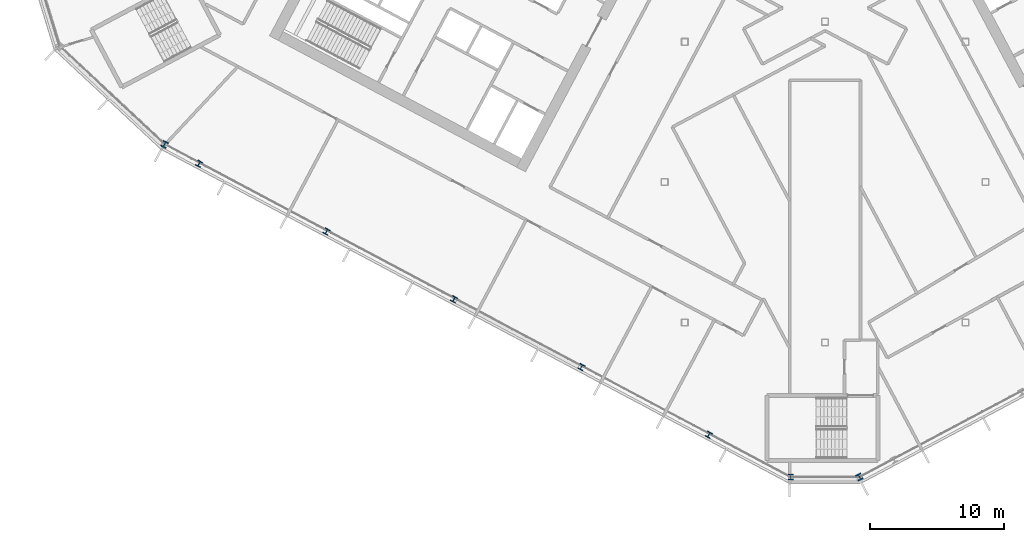
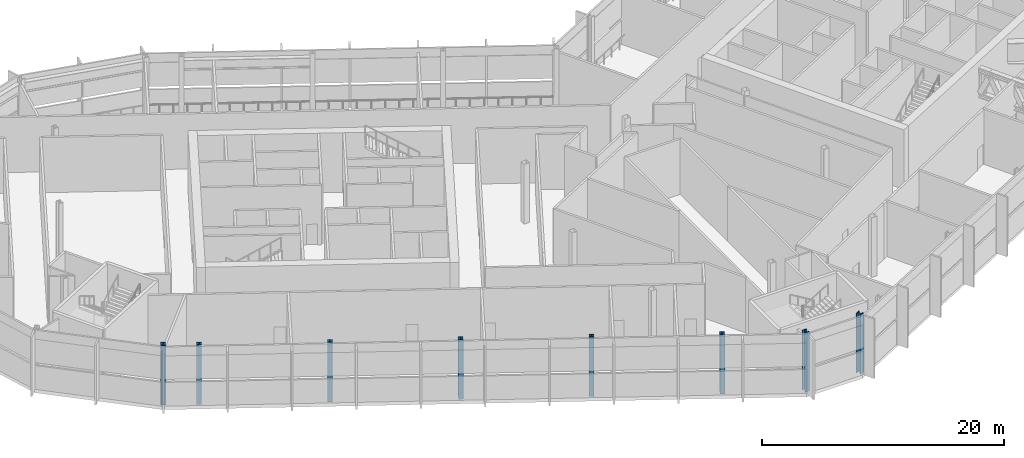
# One storey, part 1 of 33: 8 columns.
"""IFC4 building model written with IfcOpenShell, lengths in metres."""

from ifc_helpers import new_model, si_unit, direction, frame, origin, origin_2d, place, context, subcontext, project, spatial, i_section, extrude, material, material_profile, profile_set, type_object, element, save


model = new_model("IFC4")

# Units and contexts
model_context = context("Model", 3, precision=1e-05, world=origin(), true_north=direction((0.0, 1.0)))
body_context = subcontext(model_context, "Body", "Model", "MODEL_VIEW")
ifc_project = project(units=[si_unit("LENGTHUNIT", "METRE"), si_unit("AREAUNIT", "SQUARE_METRE"), si_unit("VOLUMEUNIT", "CUBIC_METRE"), si_unit("PLANEANGLEUNIT", "RADIAN"), si_unit("MASSUNIT", "GRAM", prefix="KILO")], contexts=[model_context])

# Site, building, storey
site_placement = place(None, origin())
site = spatial("IfcSite", under=ifc_project, at=site_placement, CompositionType="ELEMENT")
building_placement = place(site_placement, origin())
building = spatial("IfcBuilding", under=site, at=building_placement, Name="Cormorant Relay Tower", CompositionType="ELEMENT")
storey_placement = place(building_placement, frame((0.0, 0.0, 183.60009765625)))
storey = spatial("IfcBuildingStorey", under=building, at=storey_placement, Name="L39", CompositionType="ELEMENT", Elevation=183.60009765625)

# Columns
ifc_material_1 = material(Name="Steel ASTM A992 (Fy 345 MPa)", Category="steel")
ifc_material_profile_1 = material_profile(ifc_material_1, i_section(OverallWidth=0.41162109375, OverallDepth=0.434326171875, WebThickness=0.035888671875, FlangeThickness=0.057373046875, FilletRadius=0.01513671875, at=origin_2d()), Name="W360x463")
ifc_profile_set_1 = profile_set([ifc_material_profile_1], Name="Steel ASTM A992 (Fy 345 MPa)")
column_type_1 = type_object("IfcColumnType", Name="Column W360x463", PredefinedType="COLUMN", material=ifc_profile_set_1)
for number, where, z_axis, x_axis, name in (
    (1, (-8.696044921875, -18.910888671875, 0.0), (0.0, 0.0, 1.0), (0.882947592859, -0.469471562786, 0.0), "Column L39-004"),
    (2, (-18.23193359375, -13.841064453125, 0.0), (0.0, 0.0, 1.0), (0.882947592859, -0.469471562786, 0.0), "Column L39-006"),
    (3, (-27.76806640625, -8.77001953125, 0.0), (0.0, 0.0, 1.0), (0.882947592859, -0.469471562786, 0.0), "Column L39-011"),
    (4, (-37.303955078125, -3.699951171875, 0.0), (0.0, 0.0, 1.0), (0.882947592859, -0.469471562786, 0.0), "Column L39-013"),
    (5, (-46.839111328125, 1.3701171875, 0.0), (0.0, 0.0, 1.0), (0.882947592859, -0.469471562786, 0.0), "Column L39-018"),
):
    element("IfcColumn", number, at=place(storey_placement, frame(where, z_axis=z_axis, x_axis=x_axis)), inside=storey, type_object=column_type_1, Name=name, PredefinedType="COLUMN", context=body_context, shape_type="SweptSolid", body=[
        extrude(i_section(OverallWidth=0.41162109375, OverallDepth=0.434326171875, WebThickness=0.035888671875, FlangeThickness=0.057373046875, FilletRadius=0.01513671875, at=origin_2d()), origin(), (0.0, 0.0, 1.0), 6.0),
    ])
ifc_material_2 = material(Name="Steel ASTM A992 (Fy 345 MPa)", Category="steel")
ifc_material_profile_2 = material_profile(ifc_material_2, i_section(OverallWidth=0.42431640625, OverallDepth=0.47509765625, WebThickness=0.0478515625, FlangeThickness=0.0771484375, FilletRadius=0.014892578125, at=origin_2d()), Name="W360x634")
ifc_profile_set_2 = profile_set([ifc_material_profile_2], Name="Steel ASTM A992 (Fy 345 MPa)")
column_type_2 = type_object("IfcColumnType", Name="Column W360x634", PredefinedType="COLUMN", material=ifc_profile_set_2)
for number, where, z_axis, x_axis, name in (
    (6, (-2.571044921875, -22.06494140625, 0.0), (0.0, 0.0, 1.0), (1.0, 0.0, 0.0), "Column L39-001"),
    (7, (2.571044921875, -22.06494140625, 0.0), (0.0, 0.0, 1.0), (0.882947592859, 0.469471562786, 0.0), "Column L39-002"),
    (8, (-49.423095703125, 2.820068359375, 0.0), (0.0, 0.0, 1.0), (0.882947592859, -0.469471562786, 0.0), "Column L39-019"),
):
    element("IfcColumn", number, at=place(storey_placement, frame(where, z_axis=z_axis, x_axis=x_axis)), inside=storey, type_object=column_type_2, Name=name, PredefinedType="COLUMN", context=body_context, shape_type="SweptSolid", body=[
        extrude(i_section(OverallWidth=0.42431640625, OverallDepth=0.47509765625, WebThickness=0.0478515625, FlangeThickness=0.0771484375, FilletRadius=0.014892578125, at=origin_2d()), origin(), (0.0, 0.0, 1.0), 6.0),
    ])

save(model, "model.ifc")
